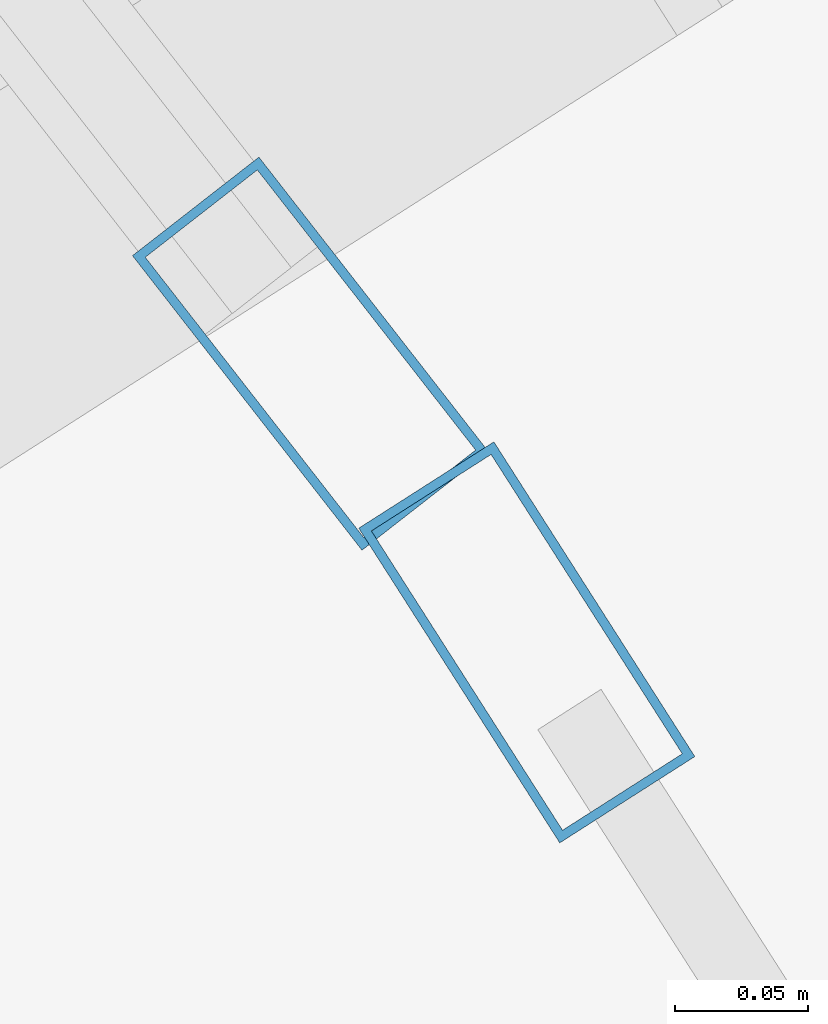
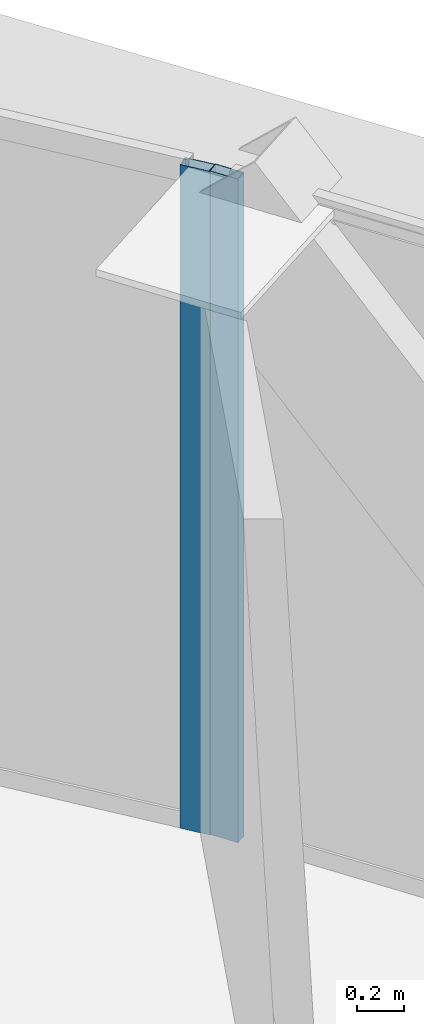
# One storey, part 24 of 39: 2 members, 2 elements without a shape of their own.
"""IFC4 building model written with IfcOpenShell, lengths in metres."""

from ifc_helpers import new_model, si_unit, direction, frame, origin, origin_2d, place, context, subcontext, project, spatial, hollow_rectangle, extrude, source, transform, mapped, material, layer, layer_set, material_profile, profile_set, type_object, element, aggregate, save


model = new_model("IFC4")

# Units and contexts
model_context = context("Model", 3, precision=1e-05, world=origin(), true_north=direction((0.0, 1.0)))
body_context = subcontext(model_context, "Body", "Model", "MODEL_VIEW")
ifc_project = project(units=[si_unit("LENGTHUNIT", "METRE"), si_unit("AREAUNIT", "SQUARE_METRE"), si_unit("VOLUMEUNIT", "CUBIC_METRE"), si_unit("PLANEANGLEUNIT", "RADIAN"), si_unit("MASSUNIT", "GRAM", prefix="KILO"), si_unit("THERMODYNAMICTEMPERATUREUNIT", "KELVIN"), si_unit("POWERUNIT", "WATT")], contexts=[model_context])

# Site, building, storey
site_placement = place(None, origin())
site = spatial("IfcSite", under=ifc_project, at=site_placement, CompositionType="ELEMENT")
building_placement = place(site_placement, origin())
building = spatial("IfcBuilding", under=site, at=building_placement, Name="Yunzhuo Pagoda Commons", CompositionType="ELEMENT")
storey_placement = place(building_placement, frame((0.0, 0.0, 285.02001953125)))
storey = spatial("IfcBuildingStorey", under=building, at=storey_placement, Name="L71", CompositionType="ELEMENT", Elevation=285.02001953125)

# Curtain wall, member
ifc_material = material(Name="Anodized aluminium 6063-T6", Category="aluminium")
ifc_layer = layer(ifc_material, 0.139892578125)
ifc_layer_set = layer_set([ifc_layer], Name="Anodized aluminium 6063-T6")
curtain_wall_type = type_object("IfcCurtainWallType", Name="CW-HI High-Zone Ribbon Curtain Wall", PredefinedType="NOTDEFINED", material=ifc_layer_set)
curtain_wall_1_placement = place(storey_placement, origin())
curtain_wall_1 = element("IfcCurtainWall", 1, at=curtain_wall_1_placement, inside=storey, type_object=curtain_wall_type, Name="L71 curtain wall CW-L71-F2B4", PredefinedType="NOTDEFINED")
ifc_material_profile = material_profile(ifc_material, hollow_rectangle(XDim=0.06005859375, YDim=0.139892578125, WallThickness=0.00341796875, at=origin_2d()), Name="Anodized aluminium 6063-T6")
ifc_profile_set = profile_set([ifc_material_profile], Name="Anodized aluminium 6063-T6")
member_type = type_object("IfcMemberType", Name="CW-HI-M Mullion RHS 140x60x3.5", PredefinedType="MULLION", material=ifc_profile_set)
shared_shape = source(origin(), body_context, "Body", "SweptSolid", [
    extrude(hollow_rectangle(XDim=0.06005859375, YDim=0.139892578125, WallThickness=0.00341796875, at=origin_2d()), origin(), (0.0, 0.0, 1.0), 3.4697265625),
])
member_1_placement = place(storey_placement, frame((61.527099609375, 64.020263671875, 0.000244140625), z_axis=(0.0, 0.0, 1.0), x_axis=(-0.842779157761, -0.538259501768, 0.0)))
member_1 = element("IfcMember", 2, at=member_1_placement, type_object=member_type, Name="CW mullion 2", PredefinedType="MULLION", context=body_context, shape_type="MappedRepresentation", body=[
    mapped(shared_shape, transform((0.0, 0.0, 0.0), scale=1.0)),
])
aggregate(curtain_wall_1, [member_1])

curtain_wall_2_placement = place(storey_placement, origin())
curtain_wall_2 = element("IfcCurtainWall", 3, at=curtain_wall_2_placement, inside=storey, type_object=curtain_wall_type, Name="L71 curtain wall CW-L71-F2B5", PredefinedType="NOTDEFINED")
member_2_placement = place(storey_placement, frame((61.446044921875, 64.12841796875, 0.000244140625), z_axis=(0.0, 0.0, 1.0), x_axis=(-0.78878314481, -0.614671579353, 0.0)))
member_2 = element("IfcMember", 4, at=member_2_placement, type_object=member_type, Name="CW mullion 1", PredefinedType="MULLION", context=body_context, shape_type="MappedRepresentation", body=[
    mapped(shared_shape, transform((0.0, 0.0, 0.0), scale=1.0)),
])
aggregate(curtain_wall_2, [member_2])

save(model, "model.ifc")
